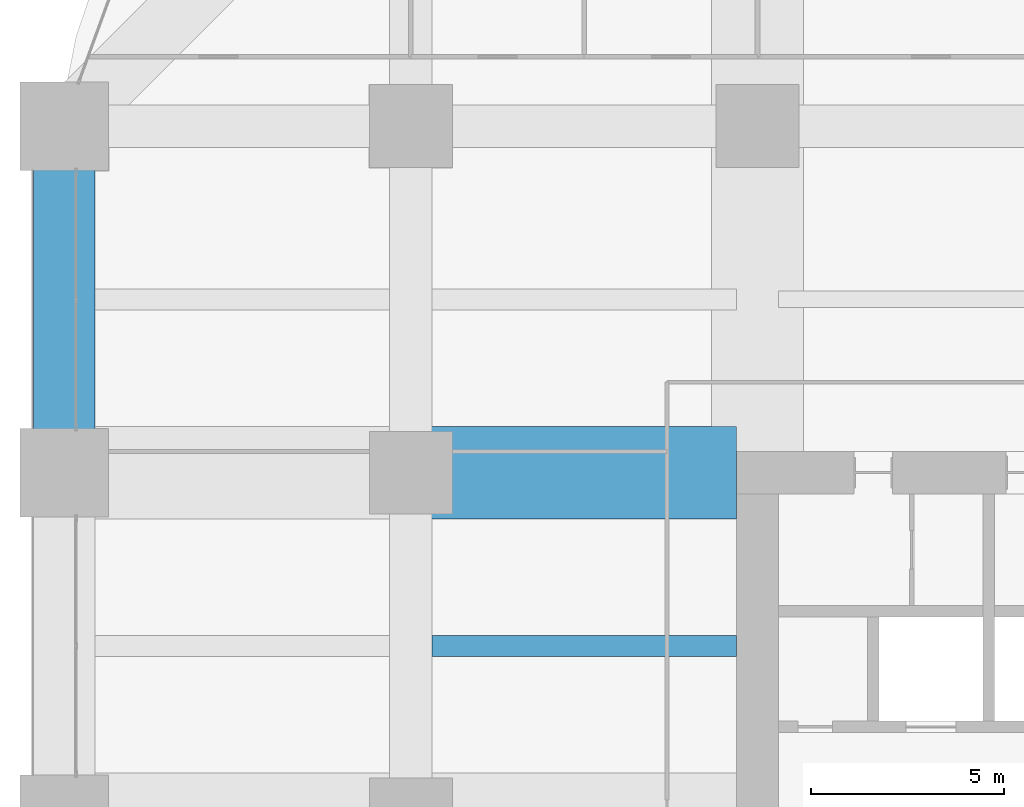
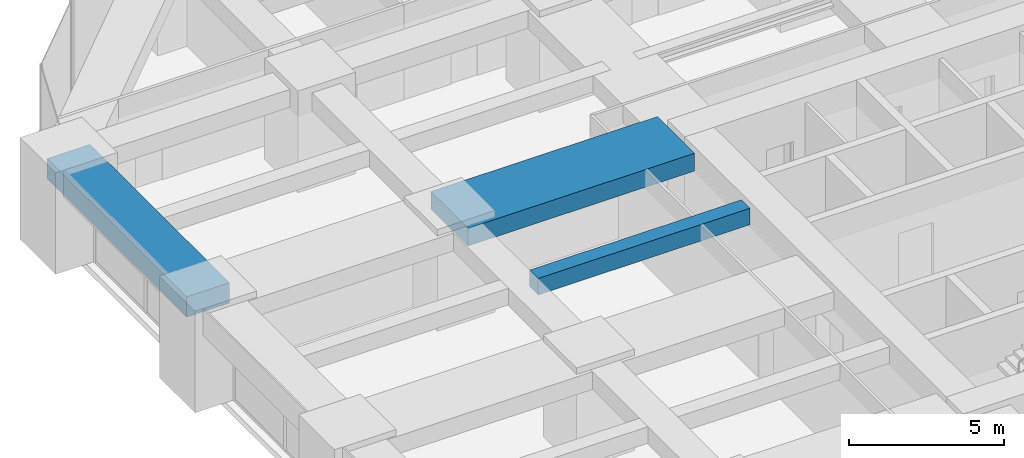
# One storey, part 24 of 43: 3 beams.
"""IFC4 building model written with IfcOpenShell, lengths in metres."""

from ifc_helpers import new_model, si_unit, direction, frame, origin, origin_2d, place, context, subcontext, project, spatial, rectangle, extrude, material, material_profile, profile_set, type_object, element, save


model = new_model("IFC4")

# Units and contexts
model_context = context("Model", 3, precision=1e-05, world=origin(), true_north=direction((0.0, 1.0)))
body_context = subcontext(model_context, "Body", "Model", "MODEL_VIEW")
ifc_project = project(units=[si_unit("LENGTHUNIT", "METRE"), si_unit("AREAUNIT", "SQUARE_METRE"), si_unit("VOLUMEUNIT", "CUBIC_METRE"), si_unit("PLANEANGLEUNIT", "RADIAN"), si_unit("MASSUNIT", "GRAM", prefix="KILO")], contexts=[model_context])

# Site, building, storey
site_placement = place(None, origin())
site = spatial("IfcSite", under=ifc_project, at=site_placement, CompositionType="ELEMENT")
building_placement = place(site_placement, origin())
building = spatial("IfcBuilding", under=site, at=building_placement, Name="Zorevar Civic Tower", CompositionType="ELEMENT")
storey_placement = place(building_placement, frame((0.0, 0.0, 67.800048828125)))
storey = spatial("IfcBuildingStorey", under=building, at=storey_placement, Name="L16", CompositionType="ELEMENT", Elevation=67.800048828125)

# Beams
ifc_material_1 = material(Name="Concrete C50/60", Category="concrete")
ifc_material_profile_1 = material_profile(ifc_material_1, rectangle(XDim=2.39990234375, YDim=0.699951171875, at=origin_2d()), Name="RC 2400x700")
ifc_profile_set_1 = profile_set([ifc_material_profile_1], Name="Concrete C50/60")
beam_type_1 = type_object("IfcBeamType", Name="Beam RC 2400x700", PredefinedType="BEAM", material=ifc_profile_set_1)
beam_1_placement = place(storey_placement, frame((9.0, 36.0, 3.39990234375), z_axis=(1.0, 0.0, 0.0), x_axis=(0.0, 1.0, 0.0)))
element("IfcBeam", 1, at=beam_1_placement, inside=storey, type_object=beam_type_1, Name="Girder L17", PredefinedType="BEAM", context=body_context, shape_type="SweptSolid", body=[
    extrude(rectangle(XDim=2.39990234375, YDim=0.699951171875, at=origin_2d()), origin(), (0.0, 0.0, 1.0), 8.449951171875),
])
ifc_material_2 = material(Name="Concrete C50/60", Category="concrete")
ifc_material_profile_2 = material_profile(ifc_material_2, rectangle(XDim=0.550048828125, YDim=0.64990234375, at=origin_2d()), Name="RC 550x650")
ifc_profile_set_2 = profile_set([ifc_material_profile_2], Name="Concrete C50/60")
beam_type_2 = type_object("IfcBeamType", Name="Beam RC 550x650", PredefinedType="BEAM", material=ifc_profile_set_2)
beam_2_placement = place(storey_placement, frame((9.550048828125, 31.5, 3.425048828125), z_axis=(1.0, 0.0, 0.0), x_axis=(0.0, 1.0, 0.0)))
element("IfcBeam", 2, at=beam_2_placement, inside=storey, type_object=beam_type_2, Name="Secondary beam L17", PredefinedType="BEAM", context=body_context, shape_type="SweptSolid", body=[
    extrude(rectangle(XDim=0.550048828125, YDim=0.64990234375, at=origin_2d()), origin(), (0.0, 0.0, 1.0), 7.89990234375),
])
ifc_material_3 = material(Name="Concrete C50/60", Category="concrete")
ifc_material_profile_3 = material_profile(ifc_material_3, rectangle(XDim=1.60009765625, YDim=0.800048828125, at=origin_2d()), Name="RC 1600x800")
ifc_profile_set_3 = profile_set([ifc_material_profile_3], Name="Concrete C50/60")
beam_type_3 = type_object("IfcBeamType", Name="Edge beam RC 1600x800", PredefinedType="SPANDREL", material=ifc_profile_set_3)
beam_3_placement = place(storey_placement, frame((0.0, 36.0, 3.349853515625), z_axis=(0.0, 1.0, 0.0), x_axis=(-1.0, 0.0, 0.0)))
element("IfcBeam", 3, at=beam_3_placement, inside=storey, type_object=beam_type_3, Name="Edge beam L17", PredefinedType="SPANDREL", context=body_context, shape_type="SweptSolid", body=[
    extrude(rectangle(XDim=1.60009765625, YDim=0.800048828125, at=origin_2d()), origin(), (0.0, 0.0, 1.0), 9.0),
])

save(model, "model.ifc")
